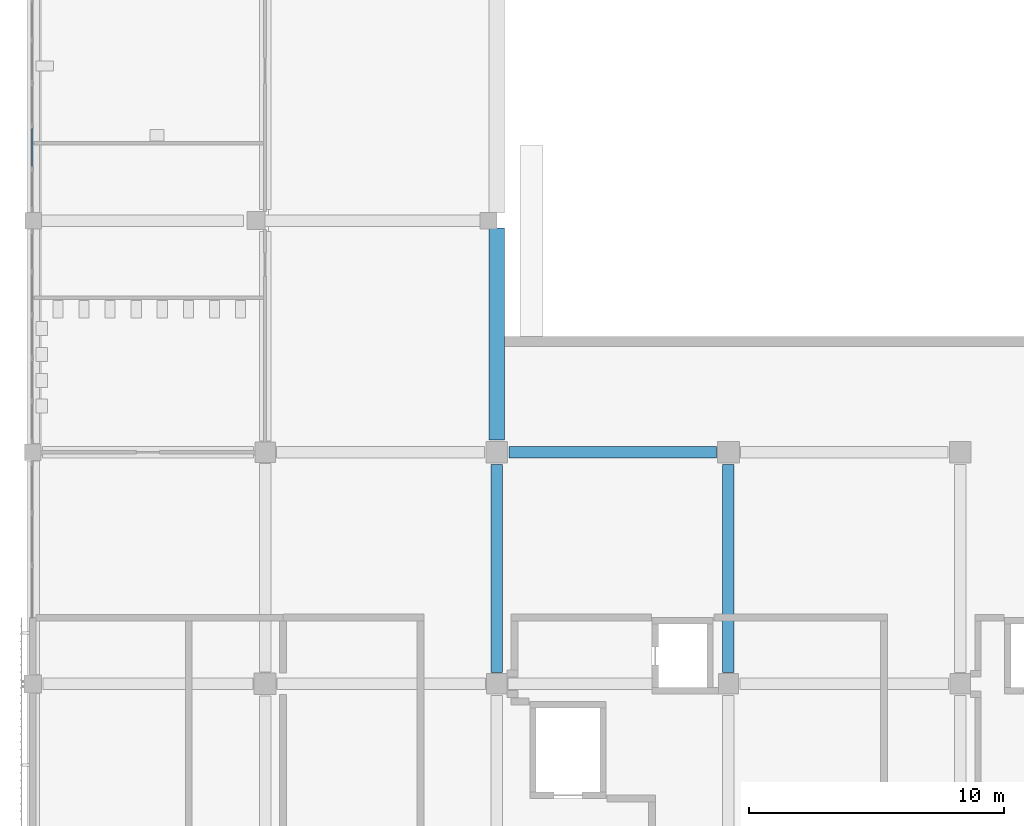
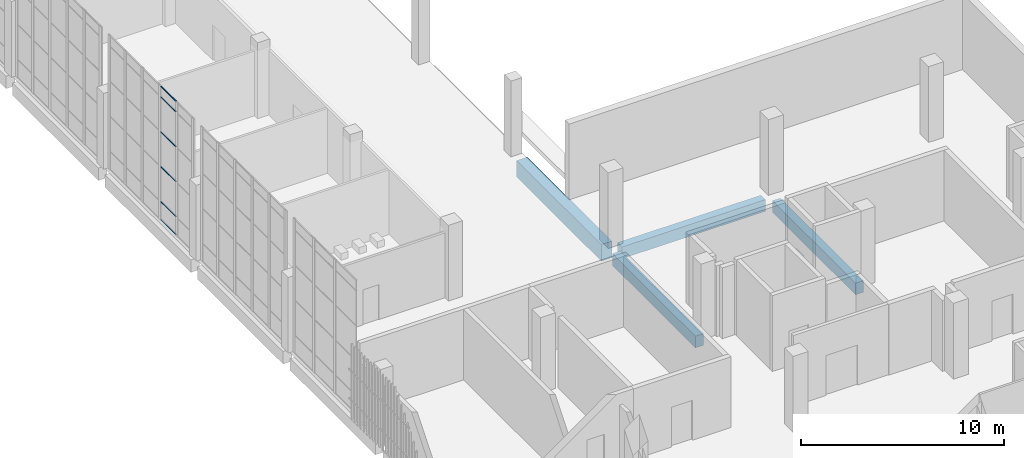
# One storey, part 12 of 126: 6 members, 4 beams, 1 element without a shape of its own.
"""IFC4 building model written with IfcOpenShell, lengths in metres."""

from ifc_helpers import new_model, si_unit, direction, frame, origin, origin_2d, place, context, subcontext, project, spatial, rectangle, hollow_rectangle, extrude, material, layer, layer_set, material_profile, profile_set, type_object, element, aggregate, save


model = new_model("IFC4")

# Units and contexts
model_context = context("Model", 3, precision=1e-05, world=origin(), true_north=direction((0.0, 1.0)))
body_context = subcontext(model_context, "Body", "Model", "MODEL_VIEW")
ifc_project = project(units=[si_unit("LENGTHUNIT", "METRE"), si_unit("AREAUNIT", "SQUARE_METRE"), si_unit("VOLUMEUNIT", "CUBIC_METRE"), si_unit("PLANEANGLEUNIT", "RADIAN"), si_unit("MASSUNIT", "GRAM", prefix="KILO")], contexts=[model_context])

# Site, building, storey
site_placement = place(None, origin())
site = spatial("IfcSite", under=ifc_project, at=site_placement, CompositionType="ELEMENT")
building_placement = place(site_placement, origin())
building = spatial("IfcBuilding", under=site, at=building_placement, Name="Shirokan Park Arena", CompositionType="ELEMENT")
storey_placement = place(building_placement, frame((0.0, 0.0, 6.3701171875)))
storey = spatial("IfcBuildingStorey", under=building, at=storey_placement, Name="L01", CompositionType="ELEMENT", Elevation=6.3701171875)

# Beams
ifc_material_1 = material(Name="Concrete C35", Category="concrete")
ifc_material_profile_1 = material_profile(ifc_material_1, rectangle(XDim=0.449951171875, YDim=0.699951171875, at=origin_2d()), Name="450x700")
ifc_profile_set_1 = profile_set([ifc_material_profile_1], Name="Concrete C35")
beam_type_1 = type_object("IfcBeamType", Name="RC girder 450x700", PredefinedType="BEAM", material=ifc_profile_set_1)
beam_1_placement = place(storey_placement, frame((18.675048828125, 36.39990234375, -0.7001953125), z_axis=(1.0, 0.0, 0.0), x_axis=(0.0, 1.0, 0.0)))
element("IfcBeam", 1, at=beam_1_placement, inside=storey, type_object=beam_type_1, Name="Girder 3E-4E L01", PredefinedType="BEAM", context=body_context, shape_type="SweptSolid", body=[
    extrude(rectangle(XDim=0.449951171875, YDim=0.699951171875, at=origin_2d()), origin(), (0.0, 0.0, 1.0), 8.14990234375),
])
for number, where, z_axis, x_axis, name in (
    (2, (18.199951171875, 27.75, -0.7001953125), (0.0, 1.0, 0.0), (-1.0, 0.0, 0.0), "Girder 3D-3E L01"),
    (3, (27.300048828125, 27.75, -0.7001953125), (0.0, 1.0, 0.0), (-1.0, 0.0, 0.0), "Girder 4D-4E L01"),
):
    element("IfcBeam", number, at=place(storey_placement, frame(where, z_axis=z_axis, x_axis=x_axis)), inside=storey, type_object=beam_type_1, Name=name, PredefinedType="BEAM", context=body_context, shape_type="SweptSolid", body=[
        extrude(rectangle(XDim=0.449951171875, YDim=0.699951171875, at=origin_2d()), origin(), (0.0, 0.0, 1.0), 8.1748046875),
    ])
ifc_material_profile_2 = material_profile(ifc_material_1, rectangle(XDim=0.60009765625, YDim=1.0, at=origin_2d()), Name="600x1000")
ifc_profile_set_2 = profile_set([ifc_material_profile_2], Name="Concrete C35")
beam_type_2 = type_object("IfcBeamType", Name="RC girder 600x1000", PredefinedType="BEAM", material=ifc_profile_set_2)
beam_2_placement = place(storey_placement, frame((18.199951171875, 36.875, -0.85009765625), z_axis=(0.0, 1.0, 0.0), x_axis=(-1.0, 0.0, 0.0)))
element("IfcBeam", 4, at=beam_2_placement, inside=storey, type_object=beam_type_2, Name="Girder 3E-3F L01", PredefinedType="BEAM", context=body_context, shape_type="SweptSolid", body=[
    extrude(rectangle(XDim=0.60009765625, YDim=1.0, at=origin_2d()), origin(), (0.0, 0.0, 1.0), 8.324951171875),
])

# Curtain wall, members
ifc_material_2 = material(Name="Steel and glass curtain wall", Category="steel")
ifc_layer = layer(ifc_material_2, 0.199951171875)
ifc_layer_set = layer_set([ifc_layer], Name="Steel and glass curtain wall 200 mm")
curtain_wall_type = type_object("IfcCurtainWallType", Name="Curtain wall hall bay 200", PredefinedType="NOTDEFINED", material=ifc_layer_set)
curtain_wall_placement = place(storey_placement, origin())
curtain_wall = element("IfcCurtainWall", 5, at=curtain_wall_placement, inside=storey, type_object=curtain_wall_type, Name="Curtain wall west bay 7 L01", PredefinedType="NOTDEFINED")
ifc_material_3 = material(Name="Steel S355", Category="steel")
ifc_material_profile_3 = material_profile(ifc_material_3, hollow_rectangle(XDim=0.06005859375, YDim=0.0400390625, WallThickness=0.00390625, at=origin_2d()), Name="RHS 60x40x4")
ifc_profile_set_3 = profile_set([ifc_material_profile_3], Name="Steel S355")
member_type = type_object("IfcMemberType", Name="Transom RHS 60x40x4", PredefinedType="MULLION", material=ifc_profile_set_3)
member_1_placement = place(storey_placement, frame((-0.050048828125, 49.10498046875, 0.019775390625), z_axis=(0.0, -1.0, 0.0), x_axis=(1.0, 0.0, 0.0)))
member_1 = element("IfcMember", 6, at=member_1_placement, type_object=member_type, Name="CW5 transom 4.1", PredefinedType="MULLION", context=body_context, shape_type="SweptSolid", body=[
    extrude(hollow_rectangle(XDim=0.06005859375, YDim=0.0400390625, WallThickness=0.00390625, at=origin_2d()), origin(), (0.0, 0.0, 1.0), 1.489990234375),
])
member_2_placement = place(storey_placement, frame((-0.050048828125, 49.10498046875, 1.099853515625), z_axis=(0.0, -1.0, 0.0), x_axis=(1.0, 0.0, 0.0)))
member_2 = element("IfcMember", 7, at=member_2_placement, type_object=member_type, Name="CW5 transom 4.2", PredefinedType="MULLION", context=body_context, shape_type="SweptSolid", body=[
    extrude(hollow_rectangle(XDim=0.06005859375, YDim=0.0400390625, WallThickness=0.00390625, at=origin_2d()), origin(), (0.0, 0.0, 1.0), 1.489990234375),
])
member_3_placement = place(storey_placement, frame((-0.050048828125, 49.10498046875, 3.199951171875), z_axis=(0.0, -1.0, 0.0), x_axis=(1.0, 0.0, 0.0)))
member_3 = element("IfcMember", 8, at=member_3_placement, type_object=member_type, Name="CW5 transom 4.3", PredefinedType="MULLION", context=body_context, shape_type="SweptSolid", body=[
    extrude(hollow_rectangle(XDim=0.06005859375, YDim=0.0400390625, WallThickness=0.00390625, at=origin_2d()), origin(), (0.0, 0.0, 1.0), 1.489990234375),
])
member_4_placement = place(storey_placement, frame((-0.050048828125, 49.10498046875, 5.2998046875), z_axis=(0.0, -1.0, 0.0), x_axis=(1.0, 0.0, 0.0)))
member_4 = element("IfcMember", 9, at=member_4_placement, type_object=member_type, Name="CW5 transom 4.4", PredefinedType="MULLION", context=body_context, shape_type="SweptSolid", body=[
    extrude(hollow_rectangle(XDim=0.06005859375, YDim=0.0400390625, WallThickness=0.00390625, at=origin_2d()), origin(), (0.0, 0.0, 1.0), 1.489990234375),
])
member_5_placement = place(storey_placement, frame((-0.050048828125, 49.10498046875, 7.39990234375), z_axis=(0.0, -1.0, 0.0), x_axis=(1.0, 0.0, 0.0)))
member_5 = element("IfcMember", 10, at=member_5_placement, type_object=member_type, Name="CW5 transom 4.5", PredefinedType="MULLION", context=body_context, shape_type="SweptSolid", body=[
    extrude(hollow_rectangle(XDim=0.06005859375, YDim=0.0400390625, WallThickness=0.00390625, at=origin_2d()), origin(), (0.0, 0.0, 1.0), 1.489990234375),
])
member_6_placement = place(storey_placement, frame((-0.050048828125, 49.10498046875, 8.02978515625), z_axis=(0.0, -1.0, 0.0), x_axis=(1.0, 0.0, 0.0)))
member_6 = element("IfcMember", 11, at=member_6_placement, type_object=member_type, Name="CW5 transom 4.6", PredefinedType="MULLION", context=body_context, shape_type="SweptSolid", body=[
    extrude(hollow_rectangle(XDim=0.06005859375, YDim=0.0400390625, WallThickness=0.00390625, at=origin_2d()), origin(), (0.0, 0.0, 1.0), 1.489990234375),
])
aggregate(curtain_wall, [member_1, member_2, member_3, member_4, member_5, member_6])

save(model, "model.ifc")
